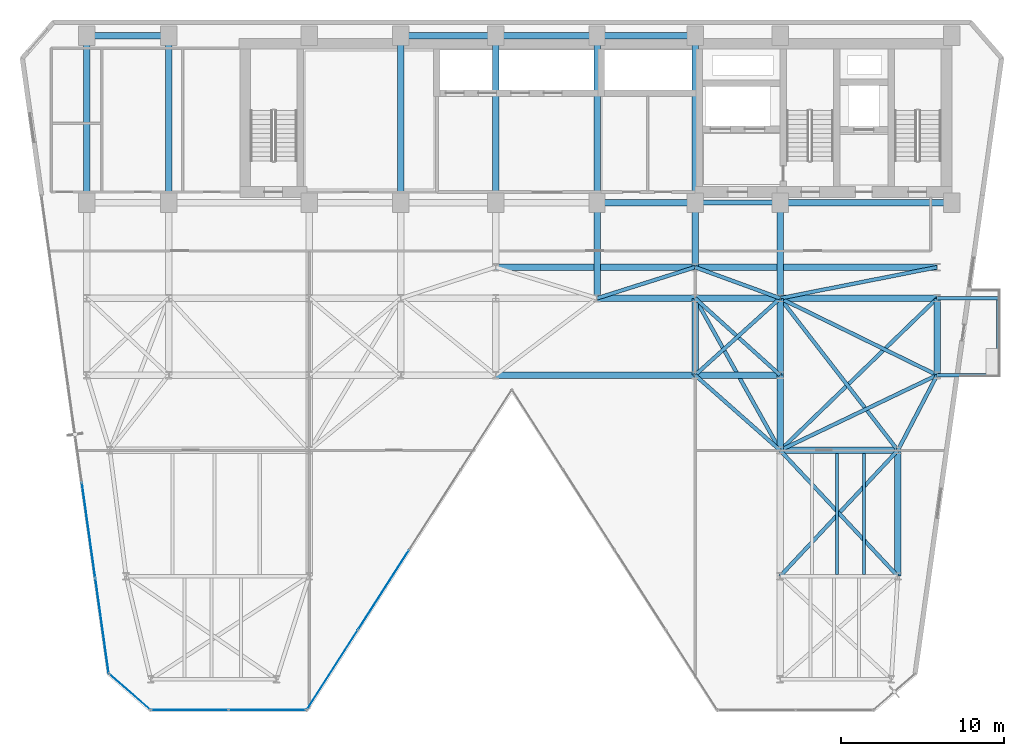
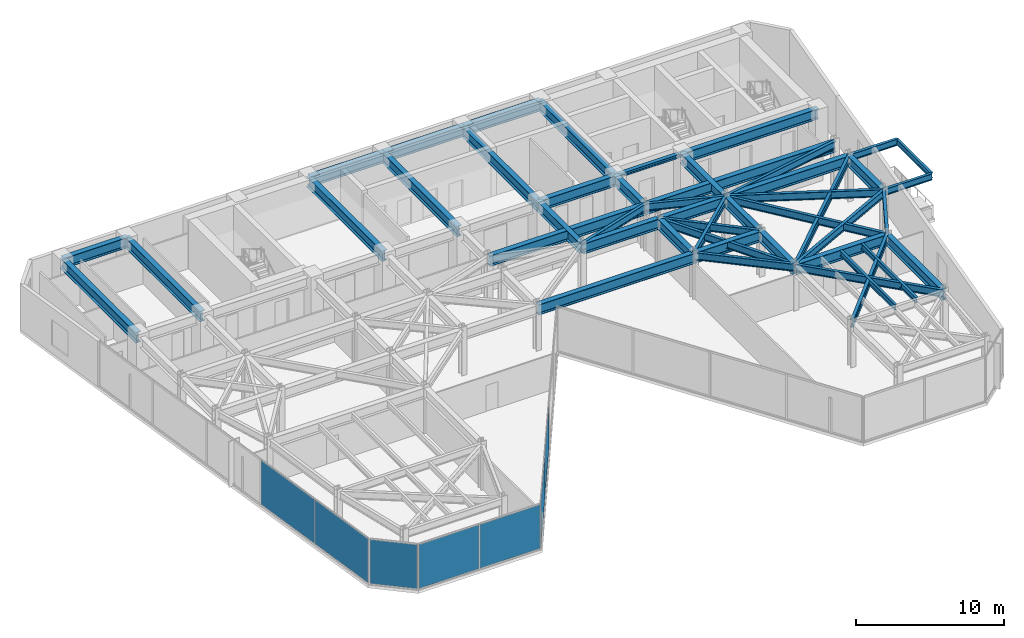
# One storey, part 20 of 26: 48 beams, 7 plates, 4 elements without a shape of their own.
"""IFC4 building model written with IfcOpenShell, lengths in metres."""

from ifc_helpers import new_model, si_unit, direction, frame, origin, origin_2d, place, context, subcontext, project, spatial, rectangle, i_section, extrude, material, layer, layer_set, material_profile, profile_set, type_object, element, aggregate, save


model = new_model("IFC4")

# Units and contexts
model_context = context("Model", 3, precision=1e-05, world=origin(), true_north=direction((0.0, 1.0)))
body_context = subcontext(model_context, "Body", "Model", "MODEL_VIEW")
ifc_project = project(units=[si_unit("LENGTHUNIT", "METRE"), si_unit("AREAUNIT", "SQUARE_METRE"), si_unit("VOLUMEUNIT", "CUBIC_METRE"), si_unit("PLANEANGLEUNIT", "RADIAN"), si_unit("MASSUNIT", "GRAM", prefix="KILO")], contexts=[model_context])

# Site, building, storey
site_placement = place(None, origin())
site = spatial("IfcSite", under=ifc_project, at=site_placement, CompositionType="ELEMENT")
building_placement = place(site_placement, origin())
building = spatial("IfcBuilding", under=site, at=building_placement, Name="Kravanh Interchange Tower", CompositionType="ELEMENT")
storey_placement = place(building_placement, frame((0.0, 0.0, 148.0)))
storey = spatial("IfcBuildingStorey", under=building, at=storey_placement, Name="L35", CompositionType="ELEMENT", Elevation=148.0)

# Beams
ifc_material_1 = material(Name="Structural Steel S355", Category="steel")
ifc_material_profile_1 = material_profile(ifc_material_1, i_section(OverallWidth=0.39990234375, OverallDepth=0.85595703125, WebThickness=0.018310546875, FlangeThickness=0.029296875, FilletRadius=0.02490234375, at=origin_2d()), Name="W33X201")
ifc_profile_set_1 = profile_set([ifc_material_profile_1], Name="Structural Steel S355")
beam_type_1 = type_object("IfcBeamType", Name="Floor Beam W33X201 Structural Steel S355", PredefinedType="BEAM", material=ifc_profile_set_1)
beam_1_placement = place(storey_placement, frame((66.5, 37.35009765625, 3.322021484375), z_axis=(-1.0, 0.0, 0.0), x_axis=(0.0, -1.0, 0.0)))
element("IfcBeam", 1, at=beam_1_placement, inside=storey, type_object=beam_type_1, Name="L35 Primary Floor Girder 5", PredefinedType="BEAM", context=body_context, shape_type="SweptSolid", body=[
    extrude(i_section(OverallWidth=0.39990234375, OverallDepth=0.85595703125, WebThickness=0.018310546875, FlangeThickness=0.029296875, FilletRadius=0.02490234375, at=origin_2d()), origin(), (0.0, 0.0, 1.0), 10.5),
])
beam_2_placement = place(storey_placement, frame((56.0, 37.35009765625, 3.322021484375), z_axis=(0.0, -1.0, 0.0), x_axis=(1.0, 0.0, 0.0)))
element("IfcBeam", 2, at=beam_2_placement, inside=storey, type_object=beam_type_1, Name="L35 Primary Floor Girder 7", PredefinedType="BEAM", context=body_context, shape_type="SweptSolid", body=[
    extrude(i_section(OverallWidth=0.39990234375, OverallDepth=0.85595703125, WebThickness=0.018310546875, FlangeThickness=0.029296875, FilletRadius=0.02490234375, at=origin_2d()), origin(), (0.0, 0.0, 1.0), 5.85009765625),
])
beam_3_placement = place(storey_placement, frame((50.800048828125, 47.550048828125, 3.322021484375), z_axis=(-1.0, 0.0, 0.0), x_axis=(0.0, -1.0, 0.0)))
element("IfcBeam", 3, at=beam_3_placement, inside=storey, type_object=beam_type_1, Name="L35 Primary Floor Girder 8", PredefinedType="BEAM", context=body_context, shape_type="SweptSolid", body=[
    extrude(i_section(OverallWidth=0.39990234375, OverallDepth=0.85595703125, WebThickness=0.018310546875, FlangeThickness=0.029296875, FilletRadius=0.02490234375, at=origin_2d()), origin(), (0.0, 0.0, 1.0), 6.0),
])
beam_4_placement = place(storey_placement, frame((50.800048828125, 47.550048828125, 3.322021484375), z_axis=(0.0, -1.0, 0.0), x_axis=(1.0, 0.0, 0.0)))
element("IfcBeam", 4, at=beam_4_placement, inside=storey, type_object=beam_type_1, Name="L35 Primary Floor Girder 9", PredefinedType="BEAM", context=body_context, shape_type="SweptSolid", body=[
    extrude(i_section(OverallWidth=0.39990234375, OverallDepth=0.85595703125, WebThickness=0.018310546875, FlangeThickness=0.029296875, FilletRadius=0.02490234375, at=origin_2d()), origin(), (0.0, 0.0, 1.0), 10.199951171875),
])
beam_5_placement = place(storey_placement, frame((50.800048828125, 37.35009765625, 3.322021484375), z_axis=(0.0, -1.0, 0.0), x_axis=(1.0, 0.0, 0.0)))
element("IfcBeam", 5, at=beam_5_placement, inside=storey, type_object=beam_type_1, Name="L35 Primary Floor Girder 10", PredefinedType="BEAM", context=body_context, shape_type="SweptSolid", body=[
    extrude(i_section(OverallWidth=0.39990234375, OverallDepth=0.85595703125, WebThickness=0.018310546875, FlangeThickness=0.029296875, FilletRadius=0.02490234375, at=origin_2d()), origin(), (0.0, 0.0, 1.0), 3.9501953125),
])
beam_6_placement = place(storey_placement, frame((50.800048828125, 37.35009765625, 3.322021484375), z_axis=(-1.0, 0.0, 0.0), x_axis=(0.0, -1.0, 0.0)))
element("IfcBeam", 6, at=beam_6_placement, inside=storey, type_object=beam_type_1, Name="L35 Primary Floor Girder 11", PredefinedType="BEAM", context=body_context, shape_type="SweptSolid", body=[
    extrude(i_section(OverallWidth=0.39990234375, OverallDepth=0.85595703125, WebThickness=0.018310546875, FlangeThickness=0.029296875, FilletRadius=0.02490234375, at=origin_2d()), origin(), (0.0, 0.0, 1.0), 6.0),
])
beam_7_placement = place(storey_placement, frame((44.800048828125, 37.35009765625, 3.322021484375), z_axis=(0.0, -1.0, 0.0), x_axis=(1.0, 0.0, 0.0)))
element("IfcBeam", 7, at=beam_7_placement, inside=storey, type_object=beam_type_1, Name="L35 Primary Floor Girder 12", PredefinedType="BEAM", context=body_context, shape_type="SweptSolid", body=[
    extrude(i_section(OverallWidth=0.39990234375, OverallDepth=0.85595703125, WebThickness=0.018310546875, FlangeThickness=0.029296875, FilletRadius=0.02490234375, at=origin_2d()), origin(), (0.0, 0.0, 1.0), 5.85009765625),
])
beam_8_placement = place(storey_placement, frame((44.800048828125, 37.35009765625, 3.322021484375), z_axis=(0.0, 1.0, 0.0), x_axis=(-1.0, 0.0, 0.0)))
element("IfcBeam", 8, at=beam_8_placement, inside=storey, type_object=beam_type_1, Name="L35 Primary Floor Girder 14", PredefinedType="BEAM", context=body_context, shape_type="SweptSolid", body=[
    extrude(i_section(OverallWidth=0.39990234375, OverallDepth=0.85595703125, WebThickness=0.018310546875, FlangeThickness=0.029296875, FilletRadius=0.02490234375, at=origin_2d()), origin(), (0.0, 0.0, 1.0), 10.199951171875),
])
beam_9_placement = place(storey_placement, frame((44.800048828125, 47.550048828125, 3.322021484375), z_axis=(-1.0, 0.0, 0.0), x_axis=(0.0, -1.0, 0.0)))
element("IfcBeam", 9, at=beam_9_placement, inside=storey, type_object=beam_type_1, Name="L35 Primary Floor Girder 15", PredefinedType="BEAM", context=body_context, shape_type="SweptSolid", body=[
    extrude(i_section(OverallWidth=0.39990234375, OverallDepth=0.85595703125, WebThickness=0.018310546875, FlangeThickness=0.029296875, FilletRadius=0.02490234375, at=origin_2d()), origin(), (0.0, 0.0, 1.0), 6.199951171875),
])
beam_10_placement = place(storey_placement, frame((38.60009765625, 37.35009765625, 3.322021484375), z_axis=(0.0, 1.0, 0.0), x_axis=(-1.0, 0.0, 0.0)))
element("IfcBeam", 10, at=beam_10_placement, inside=storey, type_object=beam_type_1, Name="L35 Primary Floor Girder 18", PredefinedType="BEAM", context=body_context, shape_type="SweptSolid", body=[
    extrude(i_section(OverallWidth=0.39990234375, OverallDepth=0.85595703125, WebThickness=0.018310546875, FlangeThickness=0.029296875, FilletRadius=0.02490234375, at=origin_2d()), origin(), (0.0, 0.0, 1.0), 10.199951171875),
])
beam_11_placement = place(storey_placement, frame((38.60009765625, 47.550048828125, 3.322021484375), z_axis=(-1.0, 0.0, 0.0), x_axis=(0.0, -1.0, 0.0)))
element("IfcBeam", 11, at=beam_11_placement, inside=storey, type_object=beam_type_1, Name="L35 Primary Floor Girder 19", PredefinedType="BEAM", context=body_context, shape_type="SweptSolid", body=[
    extrude(i_section(OverallWidth=0.39990234375, OverallDepth=0.85595703125, WebThickness=0.018310546875, FlangeThickness=0.029296875, FilletRadius=0.02490234375, at=origin_2d()), origin(), (0.0, 0.0, 1.0), 5.800048828125),
])
for number, where, z_axis, x_axis, name in (
    (12, (32.800048828125, 37.35009765625, 3.322021484375), (0.0, 1.0, 0.0), (-1.0, 0.0, 0.0), "L35 Primary Floor Girder 22"),
    (13, (18.60009765625, 37.35009765625, 3.322021484375), (0.0, 1.0, 0.0), (-1.0, 0.0, 0.0), "L35 Primary Floor Girder 30"),
):
    element("IfcBeam", number, at=place(storey_placement, frame(where, z_axis=z_axis, x_axis=x_axis)), inside=storey, type_object=beam_type_1, Name=name, PredefinedType="BEAM", context=body_context, shape_type="SweptSolid", body=[
        extrude(i_section(OverallWidth=0.39990234375, OverallDepth=0.85595703125, WebThickness=0.018310546875, FlangeThickness=0.029296875, FilletRadius=0.02490234375, at=origin_2d()), origin(), (0.0, 0.0, 1.0), 10.199951171875),
    ])
beam_12_placement = place(storey_placement, frame((18.60009765625, 47.550048828125, 3.322021484375), z_axis=(-1.0, 0.0, 0.0), x_axis=(0.0, -1.0, 0.0)))
element("IfcBeam", 14, at=beam_12_placement, inside=storey, type_object=beam_type_1, Name="L35 Primary Floor Girder 31", PredefinedType="BEAM", context=body_context, shape_type="SweptSolid", body=[
    extrude(i_section(OverallWidth=0.39990234375, OverallDepth=0.85595703125, WebThickness=0.018310546875, FlangeThickness=0.029296875, FilletRadius=0.02490234375, at=origin_2d()), origin(), (0.0, 0.0, 1.0), 5.0),
])
beam_13_placement = place(storey_placement, frame((13.60009765625, 37.35009765625, 3.322021484375), z_axis=(0.0, 1.0, 0.0), x_axis=(-1.0, 0.0, 0.0)))
element("IfcBeam", 15, at=beam_13_placement, inside=storey, type_object=beam_type_1, Name="L35 Primary Floor Girder 33", PredefinedType="BEAM", context=body_context, shape_type="SweptSolid", body=[
    extrude(i_section(OverallWidth=0.39990234375, OverallDepth=0.85595703125, WebThickness=0.018310546875, FlangeThickness=0.029296875, FilletRadius=0.02490234375, at=origin_2d()), origin(), (0.0, 0.0, 1.0), 10.199951171875),
])
beam_14_placement = place(storey_placement, frame((38.60009765625, 26.800048828125, 3.322021484375), z_axis=(1.0, 0.0, 0.0), x_axis=(0.0, 1.0, 0.0)))
element("IfcBeam", 16, at=beam_14_placement, inside=storey, type_object=beam_type_1, Name="L35 Primary Floor Girder 56", PredefinedType="BEAM", context=body_context, shape_type="SweptSolid", body=[
    extrude(i_section(OverallWidth=0.39990234375, OverallDepth=0.85595703125, WebThickness=0.018310546875, FlangeThickness=0.029296875, FilletRadius=0.02490234375, at=origin_2d()), origin(), (0.0, 0.0, 1.0), 12.199951171875),
])
beam_15_placement = place(storey_placement, frame((50.800048828125, 26.800048828125, 3.322021484375), z_axis=(0.0, 1.0, 0.0), x_axis=(-1.0, 0.0, 0.0)))
element("IfcBeam", 17, at=beam_15_placement, inside=storey, type_object=beam_type_1, Name="L35 Primary Floor Girder 57", PredefinedType="BEAM", context=body_context, shape_type="SweptSolid", body=[
    extrude(i_section(OverallWidth=0.39990234375, OverallDepth=0.85595703125, WebThickness=0.018310546875, FlangeThickness=0.029296875, FilletRadius=0.02490234375, at=origin_2d()), origin(), (0.0, 0.0, 1.0), 4.699951171875),
])
beam_16_placement = place(storey_placement, frame((50.800048828125, 26.800048828125, 3.322021484375), z_axis=(1.0, 0.0, 0.0), x_axis=(0.0, 1.0, 0.0)))
element("IfcBeam", 18, at=beam_16_placement, inside=storey, type_object=beam_type_1, Name="L35 Primary Floor Girder 58", PredefinedType="BEAM", context=body_context, shape_type="SweptSolid", body=[
    extrude(i_section(OverallWidth=0.39990234375, OverallDepth=0.85595703125, WebThickness=0.018310546875, FlangeThickness=0.029296875, FilletRadius=0.02490234375, at=origin_2d()), origin(), (0.0, 0.0, 1.0), 5.199951171875),
])
beam_17_placement = place(storey_placement, frame((56.0, 26.800048828125, 3.322021484375), z_axis=(0.0, -1.0, 0.0), x_axis=(1.0, 0.0, 0.0)))
element("IfcBeam", 19, at=beam_17_placement, inside=storey, type_object=beam_type_1, Name="L35 Primary Floor Girder 61", PredefinedType="BEAM", context=body_context, shape_type="SweptSolid", body=[
    extrude(i_section(OverallWidth=0.39990234375, OverallDepth=0.85595703125, WebThickness=0.018310546875, FlangeThickness=0.029296875, FilletRadius=0.02490234375, at=origin_2d()), origin(), (0.0, 0.0, 1.0), 4.60009765625),
])
for number, where, z_axis, x_axis, name in (
    (20, (56.0, 26.800048828125, 3.322021484375), (0.0, 1.0, 0.0), (-1.0, 0.0, 0.0), "L35 Primary Floor Girder 62"),
    (21, (65.60009765625, 26.800048828125, 3.322021484375), (0.0, 1.0, 0.0), (-1.0, 0.0, 0.0), "L35 Primary Floor Girder 65"),
):
    element("IfcBeam", number, at=place(storey_placement, frame(where, z_axis=z_axis, x_axis=x_axis)), inside=storey, type_object=beam_type_1, Name=name, PredefinedType="BEAM", context=body_context, shape_type="SweptSolid", body=[
        extrude(i_section(OverallWidth=0.39990234375, OverallDepth=0.85595703125, WebThickness=0.018310546875, FlangeThickness=0.029296875, FilletRadius=0.02490234375, at=origin_2d()), origin(), (0.0, 0.0, 1.0), 4.699951171875),
    ])
beam_18_placement = place(storey_placement, frame((44.800048828125, 31.5, 3.322021484375), z_axis=(1.0, 0.0, 0.0), x_axis=(0.0, 1.0, 0.0)))
element("IfcBeam", 22, at=beam_18_placement, inside=storey, type_object=beam_type_1, Name="L35 Primary Floor Girder 83", PredefinedType="BEAM", context=body_context, shape_type="SweptSolid", body=[
    extrude(i_section(OverallWidth=0.39990234375, OverallDepth=0.85595703125, WebThickness=0.018310546875, FlangeThickness=0.029296875, FilletRadius=0.02490234375, at=origin_2d()), origin(), (0.0, 0.0, 1.0), 6.0),
])
beam_19_placement = place(storey_placement, frame((50.800048828125, 31.5, 3.322021484375), z_axis=(1.0, 0.0, 0.0), x_axis=(0.0, 1.0, 0.0)))
element("IfcBeam", 23, at=beam_19_placement, inside=storey, type_object=beam_type_1, Name="L35 Primary Floor Girder 86", PredefinedType="BEAM", context=body_context, shape_type="SweptSolid", body=[
    extrude(i_section(OverallWidth=0.39990234375, OverallDepth=0.85595703125, WebThickness=0.018310546875, FlangeThickness=0.029296875, FilletRadius=0.02490234375, at=origin_2d()), origin(), (0.0, 0.0, 1.0), 5.199951171875),
])
beam_20_placement = place(storey_placement, frame((56.0, 31.5, 3.322021484375), z_axis=(1.0, 0.0, 0.0), x_axis=(0.0, 1.0, 0.0)))
element("IfcBeam", 24, at=beam_20_placement, inside=storey, type_object=beam_type_1, Name="L35 Primary Floor Girder 90", PredefinedType="BEAM", context=body_context, shape_type="SweptSolid", body=[
    extrude(i_section(OverallWidth=0.39990234375, OverallDepth=0.85595703125, WebThickness=0.018310546875, FlangeThickness=0.029296875, FilletRadius=0.02490234375, at=origin_2d()), origin(), (0.0, 0.0, 1.0), 9.60009765625),
])
beam_21_placement = place(storey_placement, frame((63.199951171875, 14.5, 3.322021484375), z_axis=(0.0, 1.0, 0.0), x_axis=(-1.0, 0.0, 0.0)))
element("IfcBeam", 25, at=beam_21_placement, inside=storey, type_object=beam_type_1, Name="L35 Primary Floor Girder 106", PredefinedType="BEAM", context=body_context, shape_type="SweptSolid", body=[
    extrude(i_section(OverallWidth=0.39990234375, OverallDepth=0.85595703125, WebThickness=0.018310546875, FlangeThickness=0.029296875, FilletRadius=0.02490234375, at=origin_2d()), origin(), (0.0, 0.0, 1.0), 7.699951171875),
])
beam_22_placement = place(storey_placement, frame((56.0, 22.199951171875, 3.322021484375), z_axis=(1.0, 0.0, 0.0), x_axis=(0.0, 1.0, 0.0)))
element("IfcBeam", 26, at=beam_22_placement, inside=storey, type_object=beam_type_1, Name="L35 Primary Floor Girder 109", PredefinedType="BEAM", context=body_context, shape_type="SweptSolid", body=[
    extrude(i_section(OverallWidth=0.39990234375, OverallDepth=0.85595703125, WebThickness=0.018310546875, FlangeThickness=0.029296875, FilletRadius=0.02490234375, at=origin_2d()), origin(), (0.0, 0.0, 1.0), 7.199951171875),
])
beam_23_placement = place(storey_placement, frame((38.60009765625, 33.39990234375, 3.322021484375), z_axis=(1.0, 0.0, 0.0), x_axis=(0.0, 1.0, 0.0)))
element("IfcBeam", 27, at=beam_23_placement, inside=storey, type_object=beam_type_1, Name="L35 Primary Floor Girder 111", PredefinedType="BEAM", context=body_context, shape_type="SweptSolid", body=[
    extrude(i_section(OverallWidth=0.39990234375, OverallDepth=0.85595703125, WebThickness=0.018310546875, FlangeThickness=0.029296875, FilletRadius=0.02490234375, at=origin_2d()), origin(), (0.0, 0.0, 1.0), 12.199951171875),
])
beam_24_placement = place(storey_placement, frame((50.800048828125, 33.39990234375, 3.322021484375), z_axis=(1.0, 0.0, 0.0), x_axis=(0.0, 1.0, 0.0)))
element("IfcBeam", 28, at=beam_24_placement, inside=storey, type_object=beam_type_1, Name="L35 Primary Floor Girder 112", PredefinedType="BEAM", context=body_context, shape_type="SweptSolid", body=[
    extrude(i_section(OverallWidth=0.39990234375, OverallDepth=0.85595703125, WebThickness=0.018310546875, FlangeThickness=0.029296875, FilletRadius=0.02490234375, at=origin_2d()), origin(), (0.0, 0.0, 1.0), 14.800048828125),
])
ifc_material_2 = material(Name="Structural Steel S355", Category="steel")
ifc_material_profile_2 = material_profile(ifc_material_2, i_section(OverallWidth=0.18994140625, OverallDepth=0.45703125, WebThickness=0.009033203125, FlangeThickness=0.014404296875, FilletRadius=0.01806640625, at=origin_2d()), Name="W18X50")
ifc_profile_set_2 = profile_set([ifc_material_profile_2], Name="Structural Steel S355")
beam_type_2 = type_object("IfcBeamType", Name="Floor Joist W18X50 Structural Steel S355", PredefinedType="JOIST", material=ifc_profile_set_2)
for number, where, z_axis, x_axis, name in (
    (29, (59.48193359375, 14.60888671875, 3.521484375), (0.0, 1.0, 0.0), (-1.0, 0.0, 0.0), "L35 Secondary Floor Joist 11"),
    (30, (61.134033203125, 14.60888671875, 3.521484375), (0.0, 1.0, 0.0), (-1.0, 0.0, 0.0), "L35 Secondary Floor Joist 12"),
):
    element("IfcBeam", number, at=place(storey_placement, frame(where, z_axis=z_axis, x_axis=x_axis)), inside=storey, type_object=beam_type_2, Name=name, PredefinedType="JOIST", context=body_context, shape_type="SweptSolid", body=[
        extrude(i_section(OverallWidth=0.18994140625, OverallDepth=0.45703125, WebThickness=0.009033203125, FlangeThickness=0.014404296875, FilletRadius=0.01806640625, at=origin_2d()), origin(), (0.0, 0.0, 1.0), 7.39599609375),
    ])
beam_25_placement = place(storey_placement, frame((69.330078125, 26.800048828125, 3.521484375), z_axis=(0.0, 1.0, 0.0), x_axis=(-1.0, 0.0, 0.0)))
element("IfcBeam", 31, at=beam_25_placement, inside=storey, type_object=beam_type_2, Name="L35 Balcony Edge Tie Beam E", PredefinedType="JOIST", context=body_context, shape_type="SweptSolid", body=[
    extrude(i_section(OverallWidth=0.18994140625, OverallDepth=0.45703125, WebThickness=0.009033203125, FlangeThickness=0.014404296875, FilletRadius=0.01806640625, at=origin_2d()), origin(), (0.0, 0.0, 1.0), 4.699951171875),
])
ifc_material_3 = material(Name="Structural Steel S355", Category="steel")
ifc_material_profile_3 = material_profile(ifc_material_3, i_section(OverallWidth=0.304931640625, OverallDepth=0.306884765625, WebThickness=0.010009765625, FlangeThickness=0.015380859375, FilletRadius=0.014892578125, at=origin_2d()), Name="W12X65")
ifc_profile_set_3 = profile_set([ifc_material_profile_3], Name="Structural Steel S355")
beam_type_3 = type_object("IfcBeamType", Name="Floor Lintel W12X65 Structural Steel S355", PredefinedType="LINTEL", material=ifc_profile_set_3)
beam_26_placement = place(storey_placement, frame((50.800048828125, 37.35009765625, 3.596435546875), z_axis=(1.0, 0.0, 0.0), x_axis=(0.0, 1.0, 0.0)))
element("IfcBeam", 32, at=beam_26_placement, inside=storey, type_object=beam_type_3, Name="L35 Core Coupling Lintel 1", PredefinedType="LINTEL", context=body_context, shape_type="SweptSolid", body=[
    extrude(i_section(OverallWidth=0.304931640625, OverallDepth=0.306884765625, WebThickness=0.010009765625, FlangeThickness=0.015380859375, FilletRadius=0.014892578125, at=origin_2d()), origin(), (0.0, 0.0, 1.0), 5.199951171875),
])
ifc_material_4 = material(Name="Structural Steel S355", Category="steel")
ifc_material_profile_4 = material_profile(ifc_material_4, i_section(OverallWidth=0.2099609375, OverallDepth=0.537109375, WebThickness=0.010986328125, FlangeThickness=0.017333984375, FilletRadius=0.02001953125, at=origin_2d()), Name="W21X68")
ifc_profile_set_4 = profile_set([ifc_material_profile_4], Name="Structural Steel S355")
beam_type_4 = type_object("IfcBeamType", Name="Floor Spandrel W21X68 Structural Steel S355", PredefinedType="SPANDREL", material=ifc_profile_set_4)
for number, where, z_axis, x_axis, name in (
    (33, (65.60009765625, 26.800048828125, 3.4814453125), (1.0, 0.0, 0.0), (0.0, 1.0, 0.0), "L35 Balcony Cantilever Outrigger E1"),
    (34, (65.60009765625, 31.5, 3.4814453125), (1.0, 0.0, 0.0), (0.0, 1.0, 0.0), "L35 Balcony Cantilever Outrigger E2"),
):
    element("IfcBeam", number, at=place(storey_placement, frame(where, z_axis=z_axis, x_axis=x_axis)), inside=storey, type_object=beam_type_4, Name=name, PredefinedType="SPANDREL", context=body_context, shape_type="SweptSolid", body=[
        extrude(i_section(OverallWidth=0.2099609375, OverallDepth=0.537109375, WebThickness=0.010986328125, FlangeThickness=0.017333984375, FilletRadius=0.02001953125, at=origin_2d()), origin(), (0.0, 0.0, 1.0), 3.72998046875),
    ])
ifc_material_5 = material(Name="Structural Steel S355", Category="steel")
ifc_material_profile_5 = material_profile(ifc_material_5, i_section(OverallWidth=0.22802734375, OverallDepth=0.60791015625, WebThickness=0.01123046875, FlangeThickness=0.017333984375, FilletRadius=0.02197265625, at=origin_2d()), Name="W24X76")
ifc_profile_set_5 = profile_set([ifc_material_profile_5], Name="Structural Steel S355")
beam_type_5 = type_object("IfcBeamType", Name="Floor Spandrel W24X76 Structural Steel S355", PredefinedType="SPANDREL", material=ifc_profile_set_5)
beam_27_placement = place(storey_placement, frame((50.800048828125, 26.800048828125, 3.446044921875), z_axis=(0.74898649432, -0.662585263439, 0.0), x_axis=(0.662585263439, 0.74898649432, 0.0)))
element("IfcBeam", 35, at=beam_27_placement, inside=storey, type_object=beam_type_5, Name="L35 Perimeter Spandrel 59", PredefinedType="SPANDREL", context=body_context, shape_type="SweptSolid", body=[
    extrude(i_section(OverallWidth=0.22802734375, OverallDepth=0.60791015625, WebThickness=0.01123046875, FlangeThickness=0.017333984375, FilletRadius=0.02197265625, at=origin_2d()), origin(), (0.0, 0.0, 1.0), 6.942626953125),
])
for number, where, z_axis, x_axis, name in (
    (36, (50.800048828125, 26.800048828125, 3.446044921875), (0.741874009795, 0.670539300557, 0.0), (-0.670539300557, 0.741874009795, 0.0), "L35 Perimeter Spandrel 60"),
    (37, (56.0, 26.800048828125, 3.446044921875), (-0.741874009795, 0.670539300557, 0.0), (-0.670539300557, -0.741874009795, 0.0), "L35 Perimeter Spandrel 63"),
):
    element("IfcBeam", number, at=place(storey_placement, frame(where, z_axis=z_axis, x_axis=x_axis)), inside=storey, type_object=beam_type_5, Name=name, PredefinedType="SPANDREL", context=body_context, shape_type="SweptSolid", body=[
        extrude(i_section(OverallWidth=0.22802734375, OverallDepth=0.60791015625, WebThickness=0.01123046875, FlangeThickness=0.017333984375, FilletRadius=0.02197265625, at=origin_2d()), origin(), (0.0, 0.0, 1.0), 7.00927734375),
    ])
beam_28_placement = place(storey_placement, frame((65.60009765625, 26.800048828125, 3.446044921875), z_axis=(-0.462580479178, -0.886577295155, 0.0), x_axis=(0.886577295155, -0.462580479178, 0.0)))
element("IfcBeam", 38, at=beam_28_placement, inside=storey, type_object=beam_type_5, Name="L35 Perimeter Spandrel 66", PredefinedType="SPANDREL", context=body_context, shape_type="SweptSolid", body=[
    extrude(i_section(OverallWidth=0.22802734375, OverallDepth=0.60791015625, WebThickness=0.01123046875, FlangeThickness=0.017333984375, FilletRadius=0.02197265625, at=origin_2d()), origin(), (0.0, 0.0, 1.0), 5.188720703125),
])
beam_29_placement = place(storey_placement, frame((65.60009765625, 26.800048828125, 3.446044921875), z_axis=(-0.901814166789, -0.432124066188, 0.0), x_axis=(0.432124066188, -0.901814166789, 0.0)))
element("IfcBeam", 39, at=beam_29_placement, inside=storey, type_object=beam_type_5, Name="L35 Perimeter Spandrel 67", PredefinedType="SPANDREL", context=body_context, shape_type="SweptSolid", body=[
    extrude(i_section(OverallWidth=0.22802734375, OverallDepth=0.60791015625, WebThickness=0.01123046875, FlangeThickness=0.017333984375, FilletRadius=0.02197265625, at=origin_2d()), origin(), (0.0, 0.0, 1.0), 10.645263671875),
])
beam_30_placement = place(storey_placement, frame((65.60009765625, 26.800048828125, 3.446044921875), z_axis=(-0.898141688387, 0.439706160499, 0.0), x_axis=(-0.439706160499, -0.898141688387, 0.0)))
element("IfcBeam", 40, at=beam_30_placement, inside=storey, type_object=beam_type_5, Name="L35 Perimeter Spandrel 68", PredefinedType="SPANDREL", context=body_context, shape_type="SweptSolid", body=[
    extrude(i_section(OverallWidth=0.22802734375, OverallDepth=0.60791015625, WebThickness=0.01123046875, FlangeThickness=0.017333984375, FilletRadius=0.02197265625, at=origin_2d()), origin(), (0.0, 0.0, 1.0), 10.68896484375),
])
beam_31_placement = place(storey_placement, frame((44.800048828125, 31.5, 3.446044921875), z_axis=(0.953346691051, 0.301877602122, 0.0), x_axis=(-0.301877602122, 0.953346691051, 0.0)))
element("IfcBeam", 41, at=beam_31_placement, inside=storey, type_object=beam_type_5, Name="L35 Perimeter Spandrel 84", PredefinedType="SPANDREL", context=body_context, shape_type="SweptSolid", body=[
    extrude(i_section(OverallWidth=0.22802734375, OverallDepth=0.60791015625, WebThickness=0.01123046875, FlangeThickness=0.017333984375, FilletRadius=0.02197265625, at=origin_2d()), origin(), (0.0, 0.0, 1.0), 6.293701171875),
])
beam_32_placement = place(storey_placement, frame((50.800048828125, 31.5, 3.446044921875), z_axis=(0.488026248114, -0.872828952975, 0.0), x_axis=(0.872828952975, 0.488026248114, 0.0)))
element("IfcBeam", 42, at=beam_32_placement, inside=storey, type_object=beam_type_5, Name="L35 Perimeter Spandrel 87", PredefinedType="SPANDREL", context=body_context, shape_type="SweptSolid", body=[
    extrude(i_section(OverallWidth=0.22802734375, OverallDepth=0.60791015625, WebThickness=0.01123046875, FlangeThickness=0.017333984375, FilletRadius=0.02197265625, at=origin_2d()), origin(), (0.0, 0.0, 1.0), 10.655029296875),
])
beam_33_placement = place(storey_placement, frame((56.0, 31.5, 3.446044921875), z_axis=(-0.93926957103, 0.343180233896, 0.0), x_axis=(-0.343180233896, -0.93926957103, 0.0)))
element("IfcBeam", 43, at=beam_33_placement, inside=storey, type_object=beam_type_5, Name="L35 Perimeter Spandrel 89", PredefinedType="SPANDREL", context=body_context, shape_type="SweptSolid", body=[
    extrude(i_section(OverallWidth=0.22802734375, OverallDepth=0.60791015625, WebThickness=0.01123046875, FlangeThickness=0.017333984375, FilletRadius=0.02197265625, at=origin_2d()), origin(), (0.0, 0.0, 1.0), 5.5361328125),
])
beam_34_placement = place(storey_placement, frame((56.0, 31.5, 3.446044921875), z_axis=(0.980974000807, 0.194139150457, 0.0), x_axis=(-0.194139150457, 0.980974000807, 0.0)))
element("IfcBeam", 44, at=beam_34_placement, inside=storey, type_object=beam_type_5, Name="L35 Perimeter Spandrel 91", PredefinedType="SPANDREL", context=body_context, shape_type="SweptSolid", body=[
    extrude(i_section(OverallWidth=0.22802734375, OverallDepth=0.60791015625, WebThickness=0.01123046875, FlangeThickness=0.017333984375, FilletRadius=0.02197265625, at=origin_2d()), origin(), (0.0, 0.0, 1.0), 9.786376953125),
])
beam_35_placement = place(storey_placement, frame((56.0, 31.5, 3.446044921875), z_axis=(0.612168587637, -0.790727273028, 0.0), x_axis=(0.790727273028, 0.612168587637, 0.0)))
element("IfcBeam", 45, at=beam_35_placement, inside=storey, type_object=beam_type_5, Name="L35 Perimeter Spandrel 92", PredefinedType="SPANDREL", context=body_context, shape_type="SweptSolid", body=[
    extrude(i_section(OverallWidth=0.22802734375, OverallDepth=0.60791015625, WebThickness=0.01123046875, FlangeThickness=0.017333984375, FilletRadius=0.02197265625, at=origin_2d()), origin(), (0.0, 0.0, 1.0), 11.761474609375),
])
beam_36_placement = place(storey_placement, frame((65.60009765625, 31.5, 3.446044921875), z_axis=(-0.718241934329, -0.695793449072, 0.0), x_axis=(0.695793449072, -0.718241934329, 0.0)))
element("IfcBeam", 46, at=beam_36_placement, inside=storey, type_object=beam_type_5, Name="L35 Perimeter Spandrel 94", PredefinedType="SPANDREL", context=body_context, shape_type="SweptSolid", body=[
    extrude(i_section(OverallWidth=0.22802734375, OverallDepth=0.60791015625, WebThickness=0.01123046875, FlangeThickness=0.017333984375, FilletRadius=0.02197265625, at=origin_2d()), origin(), (0.0, 0.0, 1.0), 13.3662109375),
])
for number, where, z_axis, x_axis, name in (
    (47, (56.0, 14.5, 3.446044921875), (0.682993762113, 0.73042420614, 0.0), (-0.73042420614, 0.682993762113, 0.0), "L35 Perimeter Spandrel 105"),
    (48, (63.199951171875, 14.5, 3.446044921875), (-0.682993762113, 0.73042420614, 0.0), (-0.73042420614, -0.682993762113, 0.0), "L35 Perimeter Spandrel 107"),
):
    element("IfcBeam", number, at=place(storey_placement, frame(where, z_axis=z_axis, x_axis=x_axis)), inside=storey, type_object=beam_type_5, Name=name, PredefinedType="SPANDREL", context=body_context, shape_type="SweptSolid", body=[
        extrude(i_section(OverallWidth=0.22802734375, OverallDepth=0.60791015625, WebThickness=0.01123046875, FlangeThickness=0.017333984375, FilletRadius=0.02197265625, at=origin_2d()), origin(), (0.0, 0.0, 1.0), 10.541748046875),
    ])

# Curtain wall, plates
ifc_material_6 = material(Name="Anodised Bronze Aluminium", Category="aluminium")
ifc_layer_1 = layer(ifc_material_6, 0.179931640625)
ifc_layer_set_1 = layer_set([ifc_layer_1], Name="Unitised Curtain Wall System CW-Z2 Mid Office")
curtain_wall_type = type_object("IfcCurtainWallType", Name="Unitised Curtain Wall System CW-Z2 Mid Office", PredefinedType="NOTDEFINED", material=ifc_layer_set_1)
curtain_wall_1_placement = place(storey_placement, origin())
curtain_wall_1 = element("IfcCurtainWall", 49, at=curtain_wall_1_placement, inside=storey, type_object=curtain_wall_type, Name="L35 Unitised Curtain Wall CW-L35-01", PredefinedType="NOTDEFINED")
ifc_material_7 = material(Name="Low-E Laminated Architectural Glass", Category="glass")
ifc_layer_2 = layer(ifc_material_7, 0.02587890625)
ifc_layer_set_2 = layer_set([ifc_layer_2], Name="Solar-Control Double Glazing 26mm")
plate_type = type_object("IfcPlateType", Name="Solar-Control Double Glazing 26mm", PredefinedType="CURTAIN_PANEL", material=ifc_layer_set_2)
plate_1_placement = place(storey_placement, frame((14.524169921875, 11.479736328125, 0.06005859375), z_axis=(0.0, 0.0, 1.0), x_axis=(-0.13917285118, 0.990268103846, 0.0)))
plate_1 = element("IfcPlate", 50, at=plate_1_placement, type_object=plate_type, Name="CW-Z2 panel 1.1", PredefinedType="CURTAIN_PANEL", context=body_context, shape_type="SweptSolid", body=[
    extrude(rectangle(XDim=5.81982421875, YDim=0.02587890625, at=origin_2d()), origin(), (0.0, 0.0, 1.0), 3.6298828125),
])
plate_2_placement = place(storey_placement, frame((13.70361328125, 17.317138671875, 0.06005859375), z_axis=(0.0, 0.0, 1.0), x_axis=(-0.13917285118, 0.990268103846, 0.0)))
plate_2 = element("IfcPlate", 51, at=plate_2_placement, type_object=plate_type, Name="CW-Z2 panel 2.1", PredefinedType="CURTAIN_PANEL", context=body_context, shape_type="SweptSolid", body=[
    extrude(rectangle(XDim=5.849853515625, YDim=0.02587890625, at=origin_2d()), origin(), (0.0, 0.0, 1.0), 3.6298828125),
])
aggregate(curtain_wall_1, [plate_1, plate_2])

curtain_wall_2_placement = place(storey_placement, origin())
curtain_wall_2 = element("IfcCurtainWall", 52, at=curtain_wall_2_placement, inside=storey, type_object=curtain_wall_type, Name="L35 Unitised Curtain Wall CW-L35-05", PredefinedType="NOTDEFINED")
plate_3_placement = place(storey_placement, frame((31.74658203125, 13.6708984375, 0.06005859375), z_axis=(0.0, 0.0, 1.0), x_axis=(-0.539664865919, -0.841879939476, 0.0)))
plate_3 = element("IfcPlate", 53, at=plate_3_placement, type_object=plate_type, Name="CW-Z2 panel 3.1", PredefinedType="CURTAIN_PANEL", context=body_context, shape_type="SweptSolid", body=[
    extrude(rectangle(XDim=5.760986328125, YDim=0.02587890625, at=origin_2d()), origin(), (0.0, 0.0, 1.0), 3.6298828125),
])
plate_4_placement = place(storey_placement, frame((28.61328125, 8.782958984375, 0.06005859375), z_axis=(0.0, 0.0, 1.0), x_axis=(-0.539664865919, -0.841879939476, 0.0)))
plate_4 = element("IfcPlate", 54, at=plate_4_placement, type_object=plate_type, Name="CW-Z2 panel 4.1", PredefinedType="CURTAIN_PANEL", context=body_context, shape_type="SweptSolid", body=[
    extrude(rectangle(XDim=5.73095703125, YDim=0.02587890625, at=origin_2d()), origin(), (0.0, 0.0, 1.0), 3.6298828125),
])
aggregate(curtain_wall_2, [plate_3, plate_4])

curtain_wall_3_placement = place(storey_placement, origin())
curtain_wall_3 = element("IfcCurtainWall", 55, at=curtain_wall_3_placement, inside=storey, type_object=curtain_wall_type, Name="L35 Unitised Curtain Wall CW-L35-06", PredefinedType="NOTDEFINED")
plate_5_placement = place(storey_placement, frame((24.63330078125, 6.320068359375, 0.06005859375), z_axis=(0.0, 0.0, 1.0), x_axis=(-1.0, 0.0, 0.0)))
plate_5 = element("IfcPlate", 56, at=plate_5_placement, type_object=plate_type, Name="CW-Z2 panel 1.1", PredefinedType="CURTAIN_PANEL", context=body_context, shape_type="SweptSolid", body=[
    extrude(rectangle(XDim=4.682373046875, YDim=0.02587890625, at=origin_2d()), origin(), (0.0, 0.0, 1.0), 3.6298828125),
])
plate_6_placement = place(storey_placement, frame((19.890869140625, 6.320068359375, 0.06005859375), z_axis=(0.0, 0.0, 1.0), x_axis=(-1.0, 0.0, 0.0)))
plate_6 = element("IfcPlate", 57, at=plate_6_placement, type_object=plate_type, Name="CW-Z2 panel 2.1", PredefinedType="CURTAIN_PANEL", context=body_context, shape_type="SweptSolid", body=[
    extrude(rectangle(XDim=4.682373046875, YDim=0.02587890625, at=origin_2d()), origin(), (0.0, 0.0, 1.0), 3.6298828125),
])
aggregate(curtain_wall_3, [plate_5, plate_6])

# Curtain wall, plate
curtain_wall_4_placement = place(storey_placement, origin())
curtain_wall_4 = element("IfcCurtainWall", 58, at=curtain_wall_4_placement, inside=storey, type_object=curtain_wall_type, Name="L35 Unitised Curtain Wall CW-L35-07", PredefinedType="NOTDEFINED")
plate_7_placement = place(storey_placement, frame((16.213623046875, 7.429443359375, 0.06005859375), z_axis=(0.0, 0.0, 1.0), x_axis=(-0.754719458103, 0.656047665617, 0.0)))
plate_7 = element("IfcPlate", 59, at=plate_7_placement, type_object=plate_type, Name="CW-Z2 panel 1.1", PredefinedType="CURTAIN_PANEL", context=body_context, shape_type="SweptSolid", body=[
    extrude(rectangle(XDim=3.261962890625, YDim=0.02587890625, at=origin_2d()), origin(), (0.0, 0.0, 1.0), 3.6298828125),
])
aggregate(curtain_wall_4, [plate_7])

save(model, "model.ifc")
